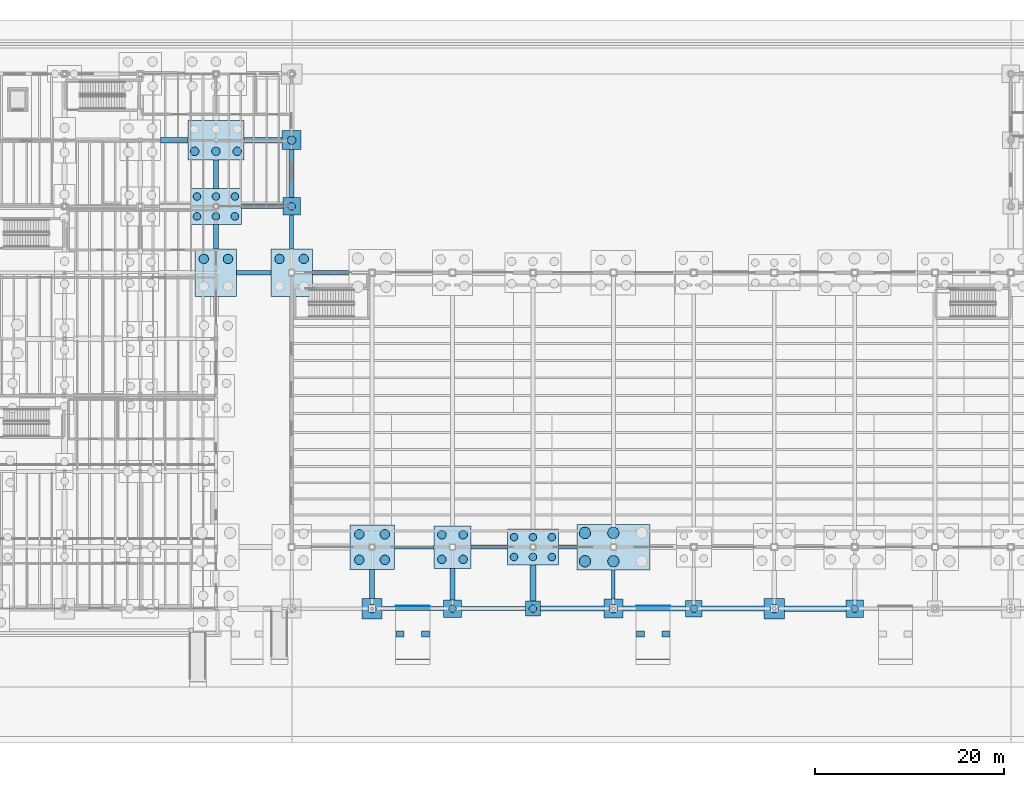
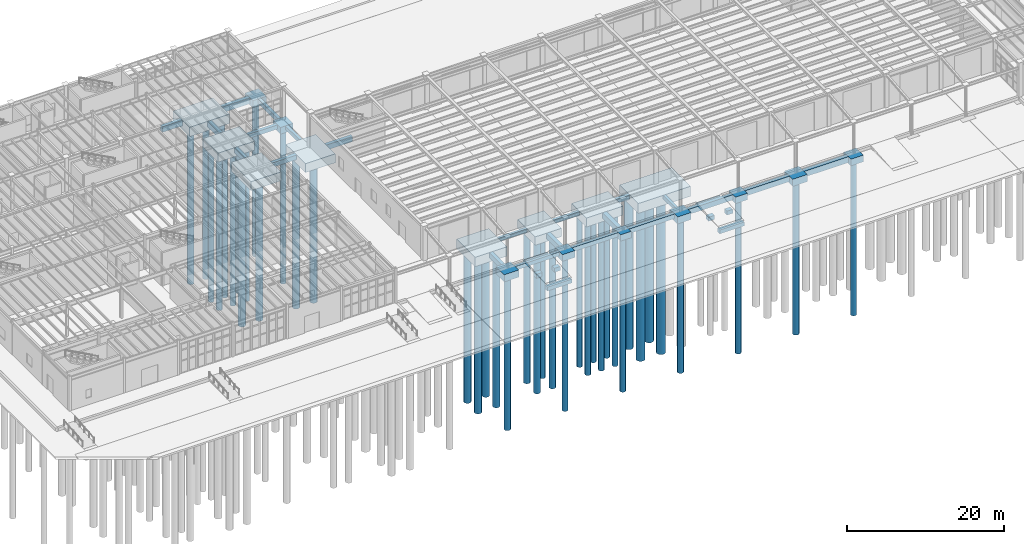
# One storey, part 5 of 86: 47 footings, 40 piles.
"""IFC4 building model written with IfcOpenShell, lengths in metres."""

from ifc_helpers import new_model, si_unit, direction, frame, origin, origin_2d, place, context, subcontext, project, spatial, polyline, rectangle, circle, outline, extrude, material, material_profile, profile_set, type_object, element, save


model = new_model("IFC4")

# Units and contexts
model_context = context("Model", 3, precision=1e-05, world=origin(), true_north=direction((0.0, 1.0)))
body_context = subcontext(model_context, "Body", "Model", "MODEL_VIEW")
ifc_project = project(units=[si_unit("LENGTHUNIT", "METRE"), si_unit("AREAUNIT", "SQUARE_METRE"), si_unit("VOLUMEUNIT", "CUBIC_METRE"), si_unit("PLANEANGLEUNIT", "RADIAN"), si_unit("MASSUNIT", "GRAM", prefix="KILO"), si_unit("THERMODYNAMICTEMPERATUREUNIT", "KELVIN"), si_unit("POWERUNIT", "WATT")], contexts=[model_context])

# Site, building, storey
site_placement = place(None, origin())
site = spatial("IfcSite", under=ifc_project, at=site_placement, CompositionType="ELEMENT")
building_placement = place(site_placement, origin())
building = spatial("IfcBuilding", under=site, at=building_placement, Name="Zhenchuan Central Fire Station", CompositionType="ELEMENT")
storey_placement = place(building_placement, frame((0.0, 0.0, 0.449951171875)))
storey = spatial("IfcBuildingStorey", under=building, at=storey_placement, Name="L01", CompositionType="ELEMENT", Elevation=0.449951171875)

# Footings
ifc_material_1 = material(Name="Concrete C35/45", Category="concrete")
footing_type_1 = type_object("IfcFootingType", Name="FB-380x550", PredefinedType="FOOTING_BEAM", material=ifc_material_1)
footing_1_placement = place(storey_placement, frame((0.0, 0.0, -1.0)))
element("IfcFooting", 1, at=footing_1_placement, inside=storey, type_object=footing_type_1, Name="Foundation Tie Beam FB-X-029", PredefinedType="FOOTING_BEAM", context=body_context, shape_type="SweptSolid", body=[
    extrude(outline(polyline([(66.85009765625, 6.31005859375), (71.050048828125, 6.31005859375), (71.050048828125, 6.68994140625), (66.85009765625, 6.68994140625), (66.85009765625, 6.31005859375)])), origin(), (0.0, 0.0, 1.0), 0.550048828125),
])
footing_2_placement = place(storey_placement, frame((0.0, 0.0, -1.0)))
element("IfcFooting", 2, at=footing_2_placement, inside=storey, type_object=footing_type_1, Name="Foundation Tie Beam FB-Y-183", PredefinedType="FOOTING_BEAM", context=body_context, shape_type="SweptSolid", body=[
    extrude(outline(polyline([(89.81005859375, 1.0), (90.18994140625, 1.0), (90.18994140625, 4.10009765625), (89.81005859375, 4.10009765625), (89.81005859375, 1.0)])), origin(), (0.0, 0.0, 1.0), 0.550048828125),
])
footing_type_2 = type_object("IfcFootingType", Name="FB-400x600", PredefinedType="FOOTING_BEAM", material=ifc_material_1)
footing_3_placement = place(storey_placement, frame((0.0, 0.0, -1.050048828125)))
element("IfcFooting", 3, at=footing_3_placement, inside=storey, type_object=footing_type_2, Name="Foundation Tie Beam FB-X-009", PredefinedType="FOOTING_BEAM", context=body_context, shape_type="SweptSolid", body=[
    extrude(outline(polyline([(65.574951171875, -0.199951171875), (72.074951171875, -0.199951171875), (72.074951171875, 0.199951171875), (65.574951171875, 0.199951171875), (65.574951171875, -0.199951171875)])), origin(), (0.0, 0.0, 1.0), 0.60009765625),
])
footing_4_placement = place(storey_placement, frame((0.0, 0.0, -1.050048828125)))
element("IfcFooting", 4, at=footing_4_placement, inside=storey, type_object=footing_type_2, Name="Foundation Tie Beam FB-X-030", PredefinedType="FOOTING_BEAM", context=body_context, shape_type="SweptSolid", body=[
    extrude(outline(polyline([(74.949951171875, 6.300048828125), (78.800048828125, 6.300048828125), (78.800048828125, 6.699951171875), (74.949951171875, 6.699951171875), (74.949951171875, 6.300048828125)])), origin(), (0.0, 0.0, 1.0), 0.60009765625),
])
footing_5_placement = place(storey_placement, frame((0.0, 0.0, -1.050048828125)))
element("IfcFooting", 5, at=footing_5_placement, inside=storey, type_object=footing_type_2, Name="Foundation Tie Beam FB-Y-177", PredefinedType="FOOTING_BEAM", context=body_context, shape_type="SweptSolid", body=[
    extrude(outline(polyline([(55.800048828125, 38.0), (56.199951171875, 38.0), (56.199951171875, 41.574951171875), (55.800048828125, 41.574951171875), (55.800048828125, 38.0)])), origin(), (0.0, 0.0, 1.0), 0.60009765625),
])
footing_type_3 = type_object("IfcFootingType", Name="FB-450x650", PredefinedType="FOOTING_BEAM", material=ifc_material_1)
footing_6_placement = place(storey_placement, frame((0.0, 0.0, -1.099853515625)))
element("IfcFooting", 6, at=footing_6_placement, inside=storey, type_object=footing_type_3, Name="Foundation Tie Beam FB-X-010", PredefinedType="FOOTING_BEAM", context=body_context, shape_type="SweptSolid", body=[
    extrude(outline(polyline([(73.925048828125, -0.22509765625), (80.699951171875, -0.22509765625), (80.699951171875, 0.22509765625), (73.925048828125, 0.22509765625), (73.925048828125, -0.22509765625)])), origin(), (0.0, 0.0, 1.0), 0.64990234375),
])
footing_7_placement = place(storey_placement, frame((0.0, 0.0, -1.099853515625)))
element("IfcFooting", 7, at=footing_7_placement, inside=storey, type_object=footing_type_3, Name="Foundation Tie Beam FB-X-031", PredefinedType="FOOTING_BEAM", context=body_context, shape_type="SweptSolid", body=[
    extrude(outline(polyline([(84.199951171875, 6.27490234375), (86.14990234375, 6.27490234375), (86.14990234375, 6.72509765625), (84.199951171875, 6.72509765625), (84.199951171875, 6.27490234375)])), origin(), (0.0, 0.0, 1.0), 0.64990234375),
])
footing_8_placement = place(storey_placement, frame((0.0, 0.0, -1.099853515625)))
element("IfcFooting", 8, at=footing_8_placement, inside=storey, type_object=footing_type_3, Name="Foundation Tie Beam FB-X-094", PredefinedType="FOOTING_BEAM", context=body_context, shape_type="SweptSolid", body=[
    extrude(outline(polyline([(50.699951171875, 42.27490234375), (55.074951171875, 42.27490234375), (55.074951171875, 42.72509765625), (50.699951171875, 42.72509765625), (50.699951171875, 42.27490234375)])), origin(), (0.0, 0.0, 1.0), 0.64990234375),
])
footing_9_placement = place(storey_placement, frame((0.0, 0.0, -1.099853515625)))
element("IfcFooting", 9, at=footing_9_placement, inside=storey, type_object=footing_type_3, Name="Foundation Tie Beam FB-Y-178", PredefinedType="FOOTING_BEAM", context=body_context, shape_type="SweptSolid", body=[
    extrude(outline(polyline([(55.77490234375, 43.425048828125), (56.22509765625, 43.425048828125), (56.22509765625, 48.5), (55.77490234375, 48.5), (55.77490234375, 43.425048828125)])), origin(), (0.0, 0.0, 1.0), 0.64990234375),
])
footing_type_4 = type_object("IfcFootingType", Name="FB-500x700", PredefinedType="FOOTING_BEAM", material=ifc_material_1)
footing_10_placement = place(storey_placement, frame((0.0, 0.0, -1.14990234375)))
element("IfcFooting", 10, at=footing_10_placement, inside=storey, type_object=footing_type_4, Name="Foundation Tie Beam FB-X-011", PredefinedType="FOOTING_BEAM", context=body_context, shape_type="SweptSolid", body=[
    extrude(outline(polyline([(82.300048828125, -0.25), (89.0, -0.25), (89.0, 0.25), (82.300048828125, 0.25), (82.300048828125, -0.25)])), origin(), (0.0, 0.0, 1.0), 0.699951171875),
])
footing_11_placement = place(storey_placement, frame((0.0, 0.0, -1.14990234375)))
element("IfcFooting", 11, at=footing_11_placement, inside=storey, type_object=footing_type_4, Name="Foundation Tie Beam FB-X-074", PredefinedType="FOOTING_BEAM", context=body_context, shape_type="SweptSolid", body=[
    extrude(outline(polyline([(50.199951171875, 35.25), (53.800048828125, 35.25), (53.800048828125, 35.75), (50.199951171875, 35.75), (50.199951171875, 35.25)])), origin(), (0.0, 0.0, 1.0), 0.699951171875),
])
footing_type_5 = type_object("IfcFootingType", Name="FB-500x800", PredefinedType="FOOTING_BEAM", material=ifc_material_1)
footing_12_placement = place(storey_placement, frame((0.0, 0.0, -1.25)))
element("IfcFooting", 12, at=footing_12_placement, inside=storey, type_object=footing_type_5, Name="Foundation Tie Beam FB-X-012", PredefinedType="FOOTING_BEAM", context=body_context, shape_type="SweptSolid", body=[
    extrude(outline(polyline([(91.0, -0.25), (97.625, -0.25), (97.625, 0.25), (91.0, 0.25), (91.0, -0.25)])), origin(), (0.0, 0.0, 1.0), 0.800048828125),
])
footing_13_placement = place(storey_placement, frame((0.0, 0.0, -1.25)))
element("IfcFooting", 13, at=footing_13_placement, inside=storey, type_object=footing_type_5, Name="Foundation Tie Beam FB-X-075", PredefinedType="FOOTING_BEAM", context=body_context, shape_type="SweptSolid", body=[
    extrude(outline(polyline([(58.199951171875, 35.25), (62.050048828125, 35.25), (62.050048828125, 35.75), (58.199951171875, 35.75), (58.199951171875, 35.25)])), origin(), (0.0, 0.0, 1.0), 0.800048828125),
])
footing_14_placement = place(storey_placement, frame((0.0, 0.0, -1.25)))
element("IfcFooting", 14, at=footing_14_placement, inside=storey, type_object=footing_type_5, Name="Foundation Tie Beam FB-Y-173", PredefinedType="FOOTING_BEAM", context=body_context, shape_type="SweptSolid", body=[
    extrude(outline(polyline([(47.75, 38.0), (48.25, 38.0), (48.25, 40.60009765625), (47.75, 40.60009765625), (47.75, 38.0)])), origin(), (0.0, 0.0, 1.0), 0.800048828125),
])
footing_15_placement = place(storey_placement, frame((0.0, 0.0, -1.25)))
element("IfcFooting", 15, at=footing_15_placement, inside=storey, type_object=footing_type_5, Name="Foundation Tie Beam FB-Y-180", PredefinedType="FOOTING_BEAM", context=body_context, shape_type="SweptSolid", body=[
    extrude(outline(polyline([(64.25, 1.074951171875), (64.75, 1.074951171875), (64.75, 4.14990234375), (64.25, 4.14990234375), (64.25, 1.074951171875)])), origin(), (0.0, 0.0, 1.0), 0.800048828125),
])
footing_type_6 = type_object("IfcFootingType", Name="FB-550x850", PredefinedType="FOOTING_BEAM", material=ifc_material_1)
footing_16_placement = place(storey_placement, frame((0.0, 0.0, -1.300048828125)))
element("IfcFooting", 16, at=footing_16_placement, inside=storey, type_object=footing_type_6, Name="Foundation Tie Beam FB-X-013", PredefinedType="FOOTING_BEAM", context=body_context, shape_type="SweptSolid", body=[
    extrude(outline(polyline([(99.375, -0.27490234375), (105.925048828125, -0.27490234375), (105.925048828125, 0.27490234375), (99.375, 0.27490234375), (99.375, -0.27490234375)])), origin(), (0.0, 0.0, 1.0), 0.85009765625),
])
footing_17_placement = place(storey_placement, frame((0.0, 0.0, -1.300048828125)))
element("IfcFooting", 17, at=footing_17_placement, inside=storey, type_object=footing_type_6, Name="Foundation Tie Beam FB-X-104", PredefinedType="FOOTING_BEAM", context=body_context, shape_type="SweptSolid", body=[
    extrude(outline(polyline([(42.14990234375, 49.22509765625), (45.050048828125, 49.22509765625), (45.050048828125, 49.77490234375), (42.14990234375, 49.77490234375), (42.14990234375, 49.22509765625)])), origin(), (0.0, 0.0, 1.0), 0.85009765625),
])
footing_18_placement = place(storey_placement, frame((0.0, 0.0, -1.300048828125)))
element("IfcFooting", 18, at=footing_18_placement, inside=storey, type_object=footing_type_6, Name="Foundation Tie Beam FB-Y-174", PredefinedType="FOOTING_BEAM", context=body_context, shape_type="SweptSolid", body=[
    extrude(outline(polyline([(47.72509765625, 44.39990234375), (48.27490234375, 44.39990234375), (48.27490234375, 47.39990234375), (47.72509765625, 47.39990234375), (47.72509765625, 44.39990234375)])), origin(), (0.0, 0.0, 1.0), 0.85009765625),
])
footing_19_placement = place(storey_placement, frame((0.0, 0.0, -1.300048828125)))
element("IfcFooting", 19, at=footing_19_placement, inside=storey, type_object=footing_type_6, Name="Foundation Tie Beam FB-Y-181", PredefinedType="FOOTING_BEAM", context=body_context, shape_type="SweptSolid", body=[
    extrude(outline(polyline([(72.72509765625, 0.925048828125), (73.27490234375, 0.925048828125), (73.27490234375, 4.25), (72.72509765625, 4.25), (72.72509765625, 0.925048828125)])), origin(), (0.0, 0.0, 1.0), 0.85009765625),
])
footing_type_7 = type_object("IfcFootingType", Name="FB-600x900", PredefinedType="FOOTING_BEAM", material=ifc_material_1)
footing_20_placement = place(storey_placement, frame((0.0, 0.0, -1.349853515625)))
element("IfcFooting", 20, at=footing_20_placement, inside=storey, type_object=footing_type_7, Name="Foundation Tie Beam FB-X-014", PredefinedType="FOOTING_BEAM", context=body_context, shape_type="SweptSolid", body=[
    extrude(outline(polyline([(108.074951171875, -0.300048828125), (114.574951171875, -0.300048828125), (114.574951171875, 0.300048828125), (108.074951171875, 0.300048828125), (108.074951171875, -0.300048828125)])), origin(), (0.0, 0.0, 1.0), 0.89990234375),
])
footing_21_placement = place(storey_placement, frame((0.0, 0.0, -1.349853515625)))
element("IfcFooting", 21, at=footing_21_placement, inside=storey, type_object=footing_type_7, Name="Foundation Tie Beam FB-X-105", PredefinedType="FOOTING_BEAM", context=body_context, shape_type="SweptSolid", body=[
    extrude(outline(polyline([(50.949951171875, 49.199951171875), (55.0, 49.199951171875), (55.0, 49.800048828125), (50.949951171875, 49.800048828125), (50.949951171875, 49.199951171875)])), origin(), (0.0, 0.0, 1.0), 0.89990234375),
])
footing_22_placement = place(storey_placement, frame((0.0, 0.0, -1.349853515625)))
element("IfcFooting", 22, at=footing_22_placement, inside=storey, type_object=footing_type_7, Name="Foundation Tie Beam FB-Y-182", PredefinedType="FOOTING_BEAM", context=body_context, shape_type="SweptSolid", body=[
    extrude(outline(polyline([(81.199951171875, 0.800048828125), (81.800048828125, 0.800048828125), (81.800048828125, 4.60009765625), (81.199951171875, 4.60009765625), (81.199951171875, 0.800048828125)])), origin(), (0.0, 0.0, 1.0), 0.89990234375),
])
footing_type_8 = type_object("IfcFootingType", Name="PAD-RMP", PredefinedType="PAD_FOOTING", material=ifc_material_1)
footing_23_placement = place(storey_placement, frame((68.800048828125, -5.610107421875, -1.31005859375), z_axis=(0.0, 0.0, 1.0), x_axis=(1.0, 0.0, 0.0)))
element("IfcFooting", 23, at=footing_23_placement, inside=storey, type_object=footing_type_8, Name="Appliance Apron Vehicle Ramp West Toe Pad Footing", PredefinedType="PAD_FOOTING", context=body_context, shape_type="SweptSolid", body=[
    extrude(rectangle(XDim=3.60009765625, YDim=0.580078125, at=origin_2d()), origin(), (0.0, 0.0, 1.0), 0.60009765625),
])
footing_24_placement = place(storey_placement, frame((0.0, 0.0, -0.849853515625)))
element("IfcFooting", 24, at=footing_24_placement, inside=storey, type_object=footing_type_8, Name="Appliance Apron Vehicle Ramp West Head Pedestal Footing", PredefinedType="PAD_FOOTING", context=body_context, shape_type="SweptSolid", body=[
    extrude(outline(polyline([(67.0, 0.320068359375), (70.60009765625, 0.320068359375), (70.60009765625, 0.22998046875), (67.0, 0.22998046875), (67.0, 0.320068359375)])), origin(), (0.0, 0.0, 1.0), 0.596923828125),
])
for number, where, z_axis, x_axis, name in (
    (25, (67.449951171875, -2.688720703125, -1.099853515625), (0.0, 0.0, 1.0), (1.0, 0.0, 0.0), "Appliance Apron Vehicle Ramp West Mid Support Pad L"),
    (26, (70.14990234375, -2.688720703125, -1.099853515625), (0.0, 0.0, 1.0), (1.0, 0.0, 0.0), "Appliance Apron Vehicle Ramp West Mid Support Pad R"),
):
    element("IfcFooting", number, at=place(storey_placement, frame(where, z_axis=z_axis, x_axis=x_axis)), inside=storey, type_object=footing_type_8, Name=name, PredefinedType="PAD_FOOTING", context=body_context, shape_type="SweptSolid", body=[
        extrude(rectangle(XDim=0.85009765625, YDim=0.64990234375, at=origin_2d()), origin(), (0.0, 0.0, 1.0), 0.623046875),
    ])
footing_25_placement = place(storey_placement, frame((94.199951171875, -5.610107421875, -1.31005859375), z_axis=(0.0, 0.0, 1.0), x_axis=(1.0, 0.0, 0.0)))
element("IfcFooting", 27, at=footing_25_placement, inside=storey, type_object=footing_type_8, Name="Appliance Apron Vehicle Ramp Central Toe Pad Footing", PredefinedType="PAD_FOOTING", context=body_context, shape_type="SweptSolid", body=[
    extrude(rectangle(XDim=3.60009765625, YDim=0.580078125, at=origin_2d()), origin(), (0.0, 0.0, 1.0), 0.60009765625),
])
footing_26_placement = place(storey_placement, frame((0.0, 0.0, -0.849853515625)))
element("IfcFooting", 28, at=footing_26_placement, inside=storey, type_object=footing_type_8, Name="Appliance Apron Vehicle Ramp Central Head Pedestal Footing", PredefinedType="PAD_FOOTING", context=body_context, shape_type="SweptSolid", body=[
    extrude(outline(polyline([(92.39990234375, 0.320068359375), (96.0, 0.320068359375), (96.0, 0.280029296875), (92.39990234375, 0.280029296875), (92.39990234375, 0.320068359375)])), origin(), (0.0, 0.0, 1.0), 0.596923828125),
])
for number, where, z_axis, x_axis, name in (
    (29, (92.85009765625, -2.688720703125, -1.099853515625), (0.0, 0.0, 1.0), (1.0, 0.0, 0.0), "Appliance Apron Vehicle Ramp Central Mid Support Pad L"),
    (30, (95.550048828125, -2.688720703125, -1.099853515625), (0.0, 0.0, 1.0), (1.0, 0.0, 0.0), "Appliance Apron Vehicle Ramp Central Mid Support Pad R"),
):
    element("IfcFooting", number, at=place(storey_placement, frame(where, z_axis=z_axis, x_axis=x_axis)), inside=storey, type_object=footing_type_8, Name=name, PredefinedType="PAD_FOOTING", context=body_context, shape_type="SweptSolid", body=[
        extrude(rectangle(XDim=0.85009765625, YDim=0.64990234375, at=origin_2d()), origin(), (0.0, 0.0, 1.0), 0.623046875),
    ])
ifc_material_2 = material(Name="Concrete C40/50", Category="concrete")
footing_type_9 = type_object("IfcFootingType", Name="PC-01", PredefinedType="PILE_CAP", material=ifc_material_2)
footing_27_placement = place(storey_placement, frame((81.5, 0.0, -1.449951171875), z_axis=(0.0, 0.0, 1.0), x_axis=(1.0, 0.0, 0.0)))
element("IfcFooting", 31, at=footing_27_placement, inside=storey, type_object=footing_type_9, Name="Pile Cap PC-01 at (81.5,0.0)", PredefinedType="PILE_CAP", context=body_context, shape_type="SweptSolid", body=[
    extrude(rectangle(XDim=1.60009765625, YDim=1.60009765625, at=origin_2d()), origin(), (0.0, 0.0, 1.0), 1.0),
])
footing_type_10 = type_object("IfcFootingType", Name="PC-02", PredefinedType="PILE_CAP", material=ifc_material_2)
footing_28_placement = place(storey_placement, frame((98.5, 0.0, -1.469970703125), z_axis=(0.0, 0.0, 1.0), x_axis=(1.0, 0.0, 0.0)))
element("IfcFooting", 32, at=footing_28_placement, inside=storey, type_object=footing_type_10, Name="Pile Cap PC-02 at (98.5,0.0)", PredefinedType="PILE_CAP", context=body_context, shape_type="SweptSolid", body=[
    extrude(rectangle(XDim=1.75, YDim=1.75, at=origin_2d()), origin(), (0.0, 0.0, 1.0), 1.02001953125),
])
footing_type_11 = type_object("IfcFootingType", Name="PC-03", PredefinedType="PILE_CAP", material=ifc_material_2)
for number, where, z_axis, x_axis, name in (
    (33, (56.0, 42.5, -1.5), (0.0, 0.0, 1.0), (1.0, 0.0, 0.0), "Pile Cap PC-03 at (56.0,42.5)"),
    (34, (73.0, 0.0, -1.5), (0.0, 0.0, 1.0), (1.0, 0.0, 0.0), "Pile Cap PC-03 at (73.0,0.0)"),
    (35, (115.5, 0.0, -1.5), (0.0, 0.0, 1.0), (1.0, 0.0, 0.0), "Pile Cap PC-03 at (115.5,0.0)"),
):
    element("IfcFooting", number, at=place(storey_placement, frame(where, z_axis=z_axis, x_axis=x_axis)), inside=storey, type_object=footing_type_11, Name=name, PredefinedType="PILE_CAP", context=body_context, shape_type="SweptSolid", body=[
        extrude(rectangle(XDim=1.85009765625, YDim=1.85009765625, at=origin_2d()), origin(), (0.0, 0.0, 1.0), 1.050048828125),
    ])
footing_type_12 = type_object("IfcFootingType", Name="PC-04", PredefinedType="PILE_CAP", material=ifc_material_2)
for number, where, z_axis, x_axis, name in (
    (36, (56.0, 49.5, -1.550048828125), (0.0, 0.0, 1.0), (1.0, 0.0, 0.0), "Pile Cap PC-04 at (56.0,49.5)"),
    (37, (90.0, 0.0, -1.550048828125), (0.0, 0.0, 1.0), (1.0, 0.0, 0.0), "Pile Cap PC-04 at (90.0,0.0)"),
):
    element("IfcFooting", number, at=place(storey_placement, frame(where, z_axis=z_axis, x_axis=x_axis)), inside=storey, type_object=footing_type_12, Name=name, PredefinedType="PILE_CAP", context=body_context, shape_type="SweptSolid", body=[
        extrude(rectangle(XDim=2.0, YDim=2.0, at=origin_2d()), origin(), (0.0, 0.0, 1.0), 1.10009765625),
    ])
footing_type_13 = type_object("IfcFootingType", Name="PC-05", PredefinedType="PILE_CAP", material=ifc_material_2)
for number, where, z_axis, x_axis, name in (
    (38, (64.5, 0.0, -1.570068359375), (0.0, 0.0, 1.0), (1.0, 0.0, 0.0), "Pile Cap PC-05 at (64.5,0.0)"),
    (39, (107.0, 0.0, -1.570068359375), (0.0, 0.0, 1.0), (1.0, 0.0, 0.0), "Pile Cap PC-05 at (107.0,0.0)"),
):
    element("IfcFooting", number, at=place(storey_placement, frame(where, z_axis=z_axis, x_axis=x_axis)), inside=storey, type_object=footing_type_13, Name=name, PredefinedType="PILE_CAP", context=body_context, shape_type="SweptSolid", body=[
        extrude(rectangle(XDim=2.14990234375, YDim=2.14990234375, at=origin_2d()), origin(), (0.0, 0.0, 1.0), 1.1201171875),
    ])
footing_type_14 = type_object("IfcFootingType", Name="PC-23", PredefinedType="PILE_CAP", material=ifc_material_2)
footing_29_placement = place(storey_placement, frame((64.5, 6.5, -1.89990234375), z_axis=(0.0, 0.0, 1.0), x_axis=(1.0, 0.0, 0.0)))
element("IfcFooting", 40, at=footing_29_placement, inside=storey, type_object=footing_type_14, Name="Pile Cap PC-23 at (64.5,6.5)", PredefinedType="PILE_CAP", context=body_context, shape_type="SweptSolid", body=[
    extrude(rectangle(XDim=4.699951171875, YDim=4.699951171875, at=origin_2d()), origin(), (0.0, 0.0, 1.0), 1.449951171875),
])
footing_type_15 = type_object("IfcFootingType", Name="PC-26", PredefinedType="PILE_CAP", material=ifc_material_2)
footing_30_placement = place(storey_placement, frame((73.0, 6.5, -1.75), z_axis=(0.0, 0.0, 1.0), x_axis=(1.0, 0.0, 0.0)))
element("IfcFooting", 41, at=footing_30_placement, inside=storey, type_object=footing_type_15, Name="Pile Cap PC-26 at (73.0,6.5)", PredefinedType="PILE_CAP", context=body_context, shape_type="SweptSolid", body=[
    extrude(rectangle(XDim=3.89990234375, YDim=4.5, at=origin_2d()), origin(), (0.0, 0.0, 1.0), 1.300048828125),
])
footing_type_16 = type_object("IfcFootingType", Name="PC-28", PredefinedType="PILE_CAP", material=ifc_material_2)
for number, where, z_axis, x_axis, name in (
    (42, (48.0, 35.5, -1.829833984375), (0.0, 0.0, 1.0), (1.0, 0.0, 0.0), "Pile Cap PC-28 at (48.0,35.5)"),
    (43, (56.0, 35.5, -1.829833984375), (0.0, 0.0, 1.0), (1.0, 0.0, 0.0), "Pile Cap PC-28 at (56.0,35.5)"),
):
    element("IfcFooting", number, at=place(storey_placement, frame(where, z_axis=z_axis, x_axis=x_axis)), inside=storey, type_object=footing_type_16, Name=name, PredefinedType="PILE_CAP", context=body_context, shape_type="SweptSolid", body=[
        extrude(rectangle(XDim=4.39990234375, YDim=5.0, at=origin_2d()), origin(), (0.0, 0.0, 1.0), 1.3798828125),
    ])
footing_type_17 = type_object("IfcFootingType", Name="PC-29", PredefinedType="PILE_CAP", material=ifc_material_2)
for number, where, z_axis, x_axis, name in (
    (44, (48.0, 42.5, -1.849853515625), (0.0, 0.0, 1.0), (1.0, 0.0, 0.0), "Pile Cap PC-29 at (48.0,42.5)"),
    (45, (81.5, 6.5, -1.849853515625), (0.0, 0.0, 1.0), (1.0, 0.0, 0.0), "Pile Cap PC-29 at (81.5,6.5)"),
):
    element("IfcFooting", number, at=place(storey_placement, frame(where, z_axis=z_axis, x_axis=x_axis)), inside=storey, type_object=footing_type_17, Name=name, PredefinedType="PILE_CAP", context=body_context, shape_type="SweptSolid", body=[
        extrude(rectangle(XDim=5.39990234375, YDim=3.800048828125, at=origin_2d()), origin(), (0.0, 0.0, 1.0), 1.39990234375),
    ])
footing_type_18 = type_object("IfcFootingType", Name="PC-30", PredefinedType="PILE_CAP", material=ifc_material_2)
footing_31_placement = place(storey_placement, frame((48.0, 49.5, -1.89990234375), z_axis=(0.0, 0.0, 1.0), x_axis=(1.0, 0.0, 0.0)))
element("IfcFooting", 46, at=footing_31_placement, inside=storey, type_object=footing_type_18, Name="Pile Cap PC-30 at (48.0,49.5)", PredefinedType="PILE_CAP", context=body_context, shape_type="SweptSolid", body=[
    extrude(rectangle(XDim=5.89990234375, YDim=4.199951171875, at=origin_2d()), origin(), (0.0, 0.0, 1.0), 1.449951171875),
])
footing_type_19 = type_object("IfcFootingType", Name="PC-32", PredefinedType="PILE_CAP", material=ifc_material_2)
footing_32_placement = place(storey_placement, frame((90.0, 6.5, -2.0), z_axis=(0.0, 0.0, 1.0), x_axis=(1.0, 0.0, 0.0)))
element("IfcFooting", 47, at=footing_32_placement, inside=storey, type_object=footing_type_19, Name="Pile Cap PC-32 at (90.0,6.5)", PredefinedType="PILE_CAP", context=body_context, shape_type="SweptSolid", body=[
    extrude(rectangle(XDim=7.699951171875, YDim=4.800048828125, at=origin_2d()), origin(), (0.0, 0.0, 1.0), 1.550048828125),
])

# Piles
ifc_material_profile_1 = material_profile(ifc_material_1, circle(Radius=0.5, at=origin_2d()), Name="PILE D1000")
ifc_profile_set_1 = profile_set([ifc_material_profile_1], Name="Concrete C35/45")
pile_type_1 = type_object("IfcPileType", Name="PILE-D1000", PredefinedType="BORED", material=ifc_profile_set_1)
for number, where, z_axis, x_axis, name in (
    (48, (46.719970703125, 36.949951171875, -1.72998046875), (0.0, 0.0, -1.0), (1.0, 0.0, 0.0), "Bored Pile 060-3"),
    (49, (49.280029296875, 36.949951171875, -1.72998046875), (0.0, 0.0, -1.0), (1.0, 0.0, 0.0), "Bored Pile 060-4"),
    (50, (54.719970703125, 36.949951171875, -1.72998046875), (0.0, 0.0, -1.0), (1.0, 0.0, 0.0), "Bored Pile 066-3"),
    (51, (57.280029296875, 36.949951171875, -1.72998046875), (0.0, 0.0, -1.0), (1.0, 0.0, 0.0), "Bored Pile 066-4"),
):
    element("IfcPile", number, at=place(storey_placement, frame(where, z_axis=z_axis, x_axis=x_axis)), inside=storey, type_object=pile_type_1, Name=name, PredefinedType="BORED", context=body_context, shape_type="SweptSolid", body=[
        extrude(circle(Radius=0.5, at=origin_2d()), origin(), (0.0, 0.0, 1.0), 23.719970703125),
    ])
for number, where, z_axis, x_axis, name in (
    (52, (63.14990234375, 5.14990234375, -1.800048828125), (0.0, 0.0, -1.0), (1.0, 0.0, 0.0), "Bored Pile 071-1"),
    (53, (65.85009765625, 5.14990234375, -1.800048828125), (0.0, 0.0, -1.0), (1.0, 0.0, 0.0), "Bored Pile 071-2"),
    (54, (63.14990234375, 7.85009765625, -1.800048828125), (0.0, 0.0, -1.0), (1.0, 0.0, 0.0), "Bored Pile 071-3"),
    (55, (65.85009765625, 7.85009765625, -1.800048828125), (0.0, 0.0, -1.0), (1.0, 0.0, 0.0), "Bored Pile 071-4"),
):
    element("IfcPile", number, at=place(storey_placement, frame(where, z_axis=z_axis, x_axis=x_axis)), inside=storey, type_object=pile_type_1, Name=name, PredefinedType="BORED", context=body_context, shape_type="SweptSolid", body=[
        extrude(circle(Radius=0.5, at=origin_2d()), origin(), (0.0, 0.0, 1.0), 23.64990234375),
    ])
ifc_material_profile_2 = material_profile(ifc_material_1, circle(Radius=0.60009765625, at=origin_2d()), Name="PILE D1200")
ifc_profile_set_2 = profile_set([ifc_material_profile_2], Name="Concrete C35/45")
pile_type_2 = type_object("IfcPileType", Name="PILE-D1200", PredefinedType="BORED", material=ifc_profile_set_2)
for number, where, z_axis, x_axis, name in (
    (56, (87.0, 5.0, -1.89990234375), (0.0, 0.0, -1.0), (1.0, 0.0, 0.0), "Bored Pile 080-1"),
    (57, (90.0, 5.0, -1.89990234375), (0.0, 0.0, -1.0), (1.0, 0.0, 0.0), "Bored Pile 080-2"),
    (58, (87.0, 8.0, -1.89990234375), (0.0, 0.0, -1.0), (1.0, 0.0, 0.0), "Bored Pile 080-4"),
    (59, (90.0, 8.0, -1.89990234375), (0.0, 0.0, -1.0), (1.0, 0.0, 0.0), "Bored Pile 080-5"),
):
    element("IfcPile", number, at=place(storey_placement, frame(where, z_axis=z_axis, x_axis=x_axis)), inside=storey, type_object=pile_type_2, Name=name, PredefinedType="BORED", context=body_context, shape_type="SweptSolid", body=[
        extrude(circle(Radius=0.60009765625, at=origin_2d()), origin(), (0.0, 0.0, 1.0), 23.550048828125),
    ])
ifc_material_profile_3 = material_profile(ifc_material_1, circle(Radius=0.39990234375, at=origin_2d()), Name="PILE D800")
ifc_profile_set_3 = profile_set([ifc_material_profile_3], Name="Concrete C35/45")
pile_type_3 = type_object("IfcPileType", Name="PILE-D800", PredefinedType="BORED", material=ifc_profile_set_3)
for number, where, z_axis, x_axis, name in (
    (60, (46.0, 41.449951171875, -1.75), (0.0, 0.0, -1.0), (1.0, 0.0, 0.0), "Bored Pile 061-1"),
    (61, (48.0, 41.449951171875, -1.75), (0.0, 0.0, -1.0), (1.0, 0.0, 0.0), "Bored Pile 061-2"),
    (62, (50.0, 41.449951171875, -1.75), (0.0, 0.0, -1.0), (1.0, 0.0, 0.0), "Bored Pile 061-3"),
    (63, (46.0, 43.550048828125, -1.75), (0.0, 0.0, -1.0), (1.0, 0.0, 0.0), "Bored Pile 061-4"),
    (64, (48.0, 43.550048828125, -1.75), (0.0, 0.0, -1.0), (1.0, 0.0, 0.0), "Bored Pile 061-5"),
    (65, (50.0, 43.550048828125, -1.75), (0.0, 0.0, -1.0), (1.0, 0.0, 0.0), "Bored Pile 061-6"),
):
    element("IfcPile", number, at=place(storey_placement, frame(where, z_axis=z_axis, x_axis=x_axis)), inside=storey, type_object=pile_type_3, Name=name, PredefinedType="BORED", context=body_context, shape_type="SweptSolid", body=[
        extrude(circle(Radius=0.39990234375, at=origin_2d()), origin(), (0.0, 0.0, 1.0), 23.699951171875),
    ])
for number, where, z_axis, x_axis, name in (
    (66, (56.0, 42.5, -1.39990234375), (0.0, 0.0, -1.0), (1.0, 0.0, 0.0), "Bored Pile 067-1"),
    (67, (73.0, 0.0, -1.39990234375), (0.0, 0.0, -1.0), (1.0, 0.0, 0.0), "Bored Pile 073-1"),
):
    element("IfcPile", number, at=place(storey_placement, frame(where, z_axis=z_axis, x_axis=x_axis)), inside=storey, type_object=pile_type_3, Name=name, PredefinedType="BORED", context=body_context, shape_type="SweptSolid", body=[
        extrude(circle(Radius=0.39990234375, at=origin_2d()), origin(), (0.0, 0.0, 1.0), 24.050048828125),
    ])
pile_1_placement = place(storey_placement, frame((81.5, 0.0, -1.349853515625), z_axis=(0.0, 0.0, -1.0), x_axis=(1.0, 0.0, 0.0)))
element("IfcPile", 68, at=pile_1_placement, inside=storey, type_object=pile_type_3, Name="Bored Pile 076-1", PredefinedType="BORED", context=body_context, shape_type="SweptSolid", body=[
    extrude(circle(Radius=0.39990234375, at=origin_2d()), origin(), (0.0, 0.0, 1.0), 24.10009765625),
])
for number, where, z_axis, x_axis, name in (
    (69, (79.5, 5.449951171875, -1.75), (0.0, 0.0, -1.0), (1.0, 0.0, 0.0), "Bored Pile 077-1"),
    (70, (81.5, 5.449951171875, -1.75), (0.0, 0.0, -1.0), (1.0, 0.0, 0.0), "Bored Pile 077-2"),
    (71, (83.5, 5.449951171875, -1.75), (0.0, 0.0, -1.0), (1.0, 0.0, 0.0), "Bored Pile 077-3"),
    (72, (79.5, 7.550048828125, -1.75), (0.0, 0.0, -1.0), (1.0, 0.0, 0.0), "Bored Pile 077-4"),
    (73, (81.5, 7.550048828125, -1.75), (0.0, 0.0, -1.0), (1.0, 0.0, 0.0), "Bored Pile 077-5"),
    (74, (83.5, 7.550048828125, -1.75), (0.0, 0.0, -1.0), (1.0, 0.0, 0.0), "Bored Pile 077-6"),
):
    element("IfcPile", number, at=place(storey_placement, frame(where, z_axis=z_axis, x_axis=x_axis)), inside=storey, type_object=pile_type_3, Name=name, PredefinedType="BORED", context=body_context, shape_type="SweptSolid", body=[
        extrude(circle(Radius=0.39990234375, at=origin_2d()), origin(), (0.0, 0.0, 1.0), 23.699951171875),
    ])
pile_2_placement = place(storey_placement, frame((98.5, 0.0, -1.369873046875), z_axis=(0.0, 0.0, -1.0), x_axis=(1.0, 0.0, 0.0)))
element("IfcPile", 75, at=pile_2_placement, inside=storey, type_object=pile_type_3, Name="Bored Pile 082-1", PredefinedType="BORED", context=body_context, shape_type="SweptSolid", body=[
    extrude(circle(Radius=0.39990234375, at=origin_2d()), origin(), (0.0, 0.0, 1.0), 24.080078125),
])
pile_3_placement = place(storey_placement, frame((115.5, 0.0, -1.39990234375), z_axis=(0.0, 0.0, -1.0), x_axis=(1.0, 0.0, 0.0)))
element("IfcPile", 76, at=pile_3_placement, inside=storey, type_object=pile_type_3, Name="Bored Pile 088-1", PredefinedType="BORED", context=body_context, shape_type="SweptSolid", body=[
    extrude(circle(Radius=0.39990234375, at=origin_2d()), origin(), (0.0, 0.0, 1.0), 24.050048828125),
])
ifc_material_profile_4 = material_profile(ifc_material_1, circle(Radius=0.449951171875, at=origin_2d()), Name="PILE D900")
ifc_profile_set_4 = profile_set([ifc_material_profile_4], Name="Concrete C35/45")
pile_type_4 = type_object("IfcPileType", Name="PILE-D900", PredefinedType="BORED", material=ifc_profile_set_4)
for number, where, z_axis, x_axis, name in (
    (77, (45.75, 48.320068359375, -1.800048828125), (0.0, 0.0, -1.0), (1.0, 0.0, 0.0), "Bored Pile 062-1"),
    (78, (48.0, 48.320068359375, -1.800048828125), (0.0, 0.0, -1.0), (1.0, 0.0, 0.0), "Bored Pile 062-2"),
    (79, (50.25, 48.320068359375, -1.800048828125), (0.0, 0.0, -1.0), (1.0, 0.0, 0.0), "Bored Pile 062-3"),
):
    element("IfcPile", number, at=place(storey_placement, frame(where, z_axis=z_axis, x_axis=x_axis)), inside=storey, type_object=pile_type_4, Name=name, PredefinedType="BORED", context=body_context, shape_type="SweptSolid", body=[
        extrude(circle(Radius=0.449951171875, at=origin_2d()), origin(), (0.0, 0.0, 1.0), 23.64990234375),
    ])
pile_4_placement = place(storey_placement, frame((56.0, 49.5, -1.449951171875), z_axis=(0.0, 0.0, -1.0), x_axis=(1.0, 0.0, 0.0)))
element("IfcPile", 80, at=pile_4_placement, inside=storey, type_object=pile_type_4, Name="Bored Pile 068-1", PredefinedType="BORED", context=body_context, shape_type="SweptSolid", body=[
    extrude(circle(Radius=0.449951171875, at=origin_2d()), origin(), (0.0, 0.0, 1.0), 24.0),
])
pile_5_placement = place(storey_placement, frame((64.5, 0.0, -1.469970703125), z_axis=(0.0, 0.0, -1.0), x_axis=(1.0, 0.0, 0.0)))
element("IfcPile", 81, at=pile_5_placement, inside=storey, type_object=pile_type_4, Name="Bored Pile 070-1", PredefinedType="BORED", context=body_context, shape_type="SweptSolid", body=[
    extrude(circle(Radius=0.449951171875, at=origin_2d()), origin(), (0.0, 0.0, 1.0), 23.97998046875),
])
for number, where, z_axis, x_axis, name in (
    (82, (71.875, 5.199951171875, -1.64990234375), (0.0, 0.0, -1.0), (1.0, 0.0, 0.0), "Bored Pile 074-1"),
    (83, (74.125, 5.199951171875, -1.64990234375), (0.0, 0.0, -1.0), (1.0, 0.0, 0.0), "Bored Pile 074-2"),
    (84, (71.875, 7.800048828125, -1.64990234375), (0.0, 0.0, -1.0), (1.0, 0.0, 0.0), "Bored Pile 074-3"),
    (85, (74.125, 7.800048828125, -1.64990234375), (0.0, 0.0, -1.0), (1.0, 0.0, 0.0), "Bored Pile 074-4"),
):
    element("IfcPile", number, at=place(storey_placement, frame(where, z_axis=z_axis, x_axis=x_axis)), inside=storey, type_object=pile_type_4, Name=name, PredefinedType="BORED", context=body_context, shape_type="SweptSolid", body=[
        extrude(circle(Radius=0.449951171875, at=origin_2d()), origin(), (0.0, 0.0, 1.0), 23.800048828125),
    ])
pile_6_placement = place(storey_placement, frame((90.0, 0.0, -1.449951171875), z_axis=(0.0, 0.0, -1.0), x_axis=(1.0, 0.0, 0.0)))
element("IfcPile", 86, at=pile_6_placement, inside=storey, type_object=pile_type_4, Name="Bored Pile 079-1", PredefinedType="BORED", context=body_context, shape_type="SweptSolid", body=[
    extrude(circle(Radius=0.449951171875, at=origin_2d()), origin(), (0.0, 0.0, 1.0), 24.0),
])
pile_7_placement = place(storey_placement, frame((107.0, 0.0, -1.469970703125), z_axis=(0.0, 0.0, -1.0), x_axis=(1.0, 0.0, 0.0)))
element("IfcPile", 87, at=pile_7_placement, inside=storey, type_object=pile_type_4, Name="Bored Pile 085-1", PredefinedType="BORED", context=body_context, shape_type="SweptSolid", body=[
    extrude(circle(Radius=0.449951171875, at=origin_2d()), origin(), (0.0, 0.0, 1.0), 23.97998046875),
])

save(model, "model.ifc")
